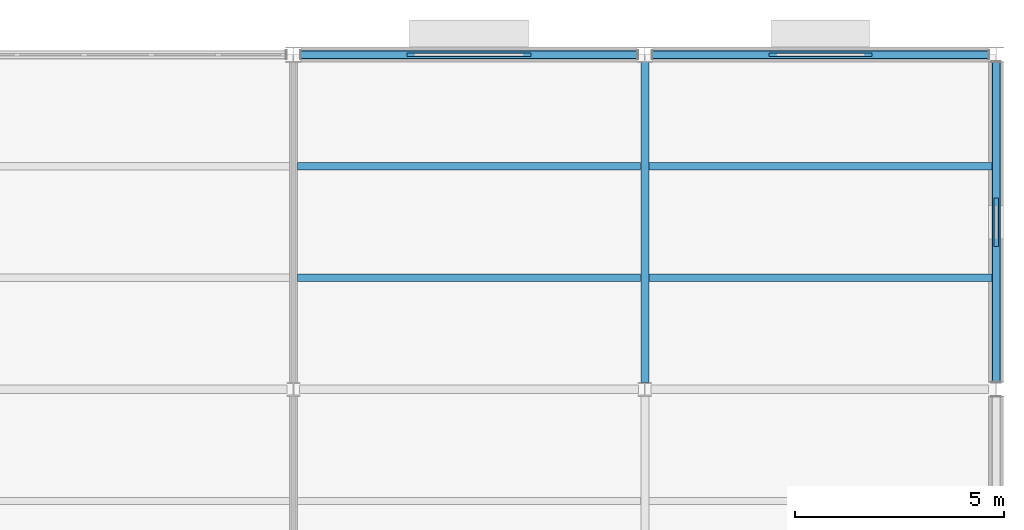
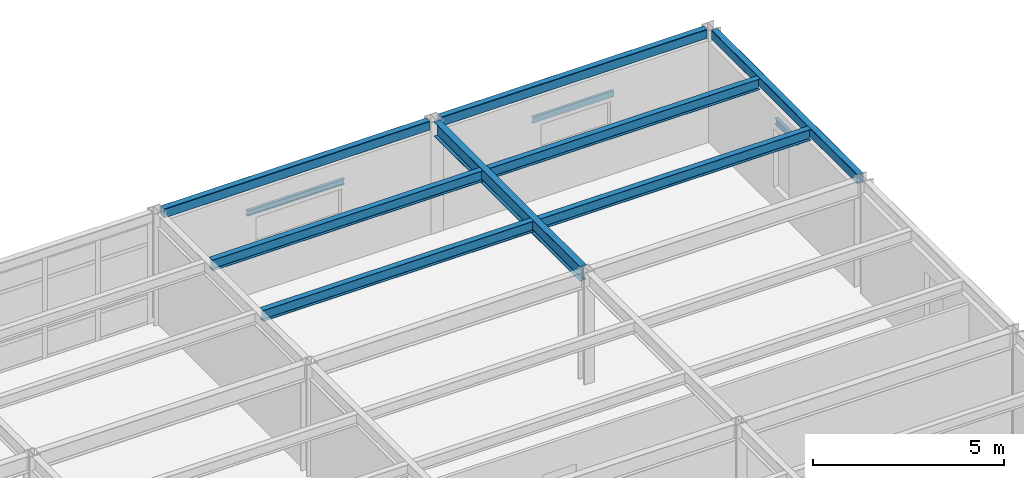
# One storey, part 35 of 96: 11 beams.
"""IFC4 building model written with IfcOpenShell, lengths in metres."""

from ifc_helpers import new_model, si_unit, direction, frame, origin, origin_2d, place, context, subcontext, project, spatial, hollow_rectangle, i_section, u_section, extrude, material, material_profile, profile_set, type_object, element, save


model = new_model("IFC4")

# Units and contexts
model_context = context("Model", 3, precision=1e-05, world=origin(), true_north=direction((0.0, 1.0)))
body_context = subcontext(model_context, "Body", "Model", "MODEL_VIEW")
ifc_project = project(units=[si_unit("LENGTHUNIT", "METRE"), si_unit("AREAUNIT", "SQUARE_METRE"), si_unit("VOLUMEUNIT", "CUBIC_METRE"), si_unit("PLANEANGLEUNIT", "RADIAN"), si_unit("MASSUNIT", "GRAM", prefix="KILO")], contexts=[model_context])

# Site, building, storey
site_placement = place(None, origin())
site = spatial("IfcSite", under=ifc_project, at=site_placement, CompositionType="ELEMENT")
building_placement = place(site_placement, origin())
building = spatial("IfcBuilding", under=site, at=building_placement, Name="Kranzveld Transit Interchange", CompositionType="ELEMENT")
storey_placement = place(building_placement, frame((0.0, 0.0, 9.52001953125)))
storey = spatial("IfcBuildingStorey", under=building, at=storey_placement, Name="L02", CompositionType="ELEMENT", Elevation=9.52001953125)

# Beams
ifc_material_1 = material(Name="Steel S355JR", Category="steel")
ifc_material_profile_1 = material_profile(ifc_material_1, i_section(OverallWidth=0.19189453125, OverallDepth=0.46337890625, WebThickness=0.010498046875, FlangeThickness=0.017578125, FilletRadius=0.01025390625, at=origin_2d()), Name="UB 457x191x89")
ifc_profile_set_1 = profile_set([ifc_material_profile_1], Name="Steel S355JR")
beam_type_1 = type_object("IfcBeamType", Name="Beam Steel UB 457x191x89 S355JR", PredefinedType="BEAM", material=ifc_profile_set_1)
beam_1_placement = place(storey_placement, frame((159.60009765625, 104.159912109375, 3.33837890625), z_axis=(0.0, 1.0, 0.0), x_axis=(-1.0, 0.0, 0.0)))
element("IfcBeam", 1, at=beam_1_placement, inside=storey, type_object=beam_type_1, Name="L02 Girder 20/P-Q", PredefinedType="BEAM", context=body_context, shape_type="SweptSolid", body=[
    extrude(i_section(OverallWidth=0.19189453125, OverallDepth=0.46337890625, WebThickness=0.010498046875, FlangeThickness=0.017578125, FilletRadius=0.01025390625, at=origin_2d()), origin(), (0.0, 0.0, 1.0), 7.662841796875),
])
ifc_material_2 = material(Name="Steel S355JR", Category="steel")
ifc_material_profile_2 = material_profile(ifc_material_2, hollow_rectangle(XDim=0.199951171875, YDim=0.300048828125, WallThickness=0.010009765625, InnerFilletRadius=0.014892578125, OuterFilletRadius=0.02490234375, at=origin_2d()), Name="RHS 300x200x10")
ifc_profile_set_2 = profile_set([ifc_material_profile_2], Name="Steel S355JR")
beam_type_2 = type_object("IfcBeamType", Name="Edge Spandrel RHS 300x200x10 S355JR", PredefinedType="SPANDREL", material=ifc_profile_set_2)
for number, where, z_axis, x_axis, name in (
    (2, (151.377197265625, 112.0, 3.419921875), (1.0, 0.0, 0.0), (0.0, 1.0, 0.0), "L02 Girder 19-20/Q"),
    (3, (159.77734375, 112.0, 3.419921875), (1.0, 0.0, 0.0), (0.0, 1.0, 0.0), "L02 Girder 20-21/Q"),
):
    element("IfcBeam", number, at=place(storey_placement, frame(where, z_axis=z_axis, x_axis=x_axis)), inside=storey, type_object=beam_type_2, Name=name, PredefinedType="SPANDREL", context=body_context, shape_type="SweptSolid", body=[
        extrude(hollow_rectangle(XDim=0.199951171875, YDim=0.300048828125, WallThickness=0.010009765625, InnerFilletRadius=0.014892578125, OuterFilletRadius=0.02490234375, at=origin_2d()), origin(), (0.0, 0.0, 1.0), 8.04541015625),
    ])
beam_2_placement = place(storey_placement, frame((168.0, 104.17724609375, 3.419921875), z_axis=(0.0, 1.0, 0.0), x_axis=(-1.0, 0.0, 0.0)))
element("IfcBeam", 4, at=beam_2_placement, inside=storey, type_object=beam_type_2, Name="L02 Girder 21/P-Q", PredefinedType="SPANDREL", context=body_context, shape_type="SweptSolid", body=[
    extrude(hollow_rectangle(XDim=0.199951171875, YDim=0.300048828125, WallThickness=0.010009765625, InnerFilletRadius=0.014892578125, OuterFilletRadius=0.02490234375, at=origin_2d()), origin(), (0.0, 0.0, 1.0), 7.6455078125),
])
ifc_material_3 = material(Name="Steel S355JR", Category="steel")
ifc_material_profile_3 = material_profile(ifc_material_3, i_section(OverallWidth=0.171142578125, OverallDepth=0.351318359375, WebThickness=0.007080078125, FlangeThickness=0.009765625, FilletRadius=0.01025390625, at=origin_2d()), Name="UB 356x171x45")
ifc_profile_set_3 = profile_set([ifc_material_profile_3], Name="Steel S355JR")
beam_type_3 = type_object("IfcBeamType", Name="Floor Joist UB 356x171x45 S355JR", PredefinedType="JOIST", material=ifc_profile_set_3)
for number, where, z_axis, x_axis, name in (
    (5, (151.2978515625, 106.666748046875, 3.394287109375), (1.0, 0.0, 0.0), (0.0, 1.0, 0.0), "L02 Secondary Joist 19-20/P.1"),
    (6, (151.2978515625, 109.333251953125, 3.394287109375), (1.0, 0.0, 0.0), (0.0, 1.0, 0.0), "L02 Secondary Joist 19-20/P.2"),
):
    element("IfcBeam", number, at=place(storey_placement, frame(where, z_axis=z_axis, x_axis=x_axis)), inside=storey, type_object=beam_type_3, Name=name, PredefinedType="JOIST", context=body_context, shape_type="SweptSolid", body=[
        extrude(i_section(OverallWidth=0.171142578125, OverallDepth=0.351318359375, WebThickness=0.007080078125, FlangeThickness=0.009765625, FilletRadius=0.01025390625, at=origin_2d()), origin(), (0.0, 0.0, 1.0), 8.2041015625),
    ])
for number, where, z_axis, x_axis, name in (
    (7, (159.697998046875, 106.666748046875, 3.394287109375), (1.0, 0.0, 0.0), (0.0, 1.0, 0.0), "L02 Secondary Joist 20-21/P.1"),
    (8, (159.697998046875, 109.333251953125, 3.394287109375), (1.0, 0.0, 0.0), (0.0, 1.0, 0.0), "L02 Secondary Joist 20-21/P.2"),
):
    element("IfcBeam", number, at=place(storey_placement, frame(where, z_axis=z_axis, x_axis=x_axis)), inside=storey, type_object=beam_type_3, Name=name, PredefinedType="JOIST", context=body_context, shape_type="SweptSolid", body=[
        extrude(i_section(OverallWidth=0.171142578125, OverallDepth=0.351318359375, WebThickness=0.007080078125, FlangeThickness=0.009765625, FilletRadius=0.01025390625, at=origin_2d()), origin(), (0.0, 0.0, 1.0), 8.199951171875),
    ])
ifc_material_4 = material(Name="Steel S355JR", Category="steel")
ifc_material_profile_4 = material_profile(ifc_material_4, u_section(Depth=0.199951171875, FlangeWidth=0.074951171875, WebThickness=0.006103515625, FlangeThickness=0.012451171875, FilletRadius=0.011962890625, at=origin_2d()), Name="PFC 200x75x23")
ifc_profile_set_4 = profile_set([ifc_material_profile_4], Name="Steel S355JR")
beam_type_4 = type_object("IfcBeamType", Name="Masonry Lintel PFC 200x75x23 S355JR", PredefinedType="LINTEL", material=ifc_profile_set_4)
beam_3_placement = place(storey_placement, frame((162.570068359375, 112.0, 2.455078125), z_axis=(1.0, 0.0, 0.0), x_axis=(0.0, 1.0, 0.0)))
element("IfcBeam", 9, at=beam_3_placement, inside=storey, type_object=beam_type_4, Name="L02 Window Lintel 136", PredefinedType="LINTEL", context=body_context, shape_type="SweptSolid", body=[
    extrude(u_section(Depth=0.199951171875, FlangeWidth=0.074951171875, WebThickness=0.006103515625, FlangeThickness=0.012451171875, FilletRadius=0.011962890625, at=origin_2d()), origin(), (0.0, 0.0, 1.0), 2.4599609375),
])
ifc_material_5 = material(Name="Steel S355JR", Category="steel")
ifc_material_profile_5 = material_profile(ifc_material_5, i_section(OverallWidth=0.091064453125, OverallDepth=0.179931640625, WebThickness=0.00537109375, FlangeThickness=0.008056640625, FilletRadius=0.009033203125, at=origin_2d()), Name="IPE 180")
ifc_profile_set_5 = profile_set([ifc_material_profile_5], Name="Steel S355JR")
beam_type_5 = type_object("IfcBeamType", Name="Opening Lintel IPE 180 S355JR", PredefinedType="LINTEL", material=ifc_profile_set_5)
beam_4_placement = place(storey_placement, frame((153.919921875, 112.0, 2.494873046875), z_axis=(1.0, 0.0, 0.0), x_axis=(0.0, 1.0, 0.0)))
element("IfcBeam", 10, at=beam_4_placement, inside=storey, type_object=beam_type_5, Name="L02 Window Lintel 135", PredefinedType="LINTEL", context=body_context, shape_type="SweptSolid", body=[
    extrude(i_section(OverallWidth=0.091064453125, OverallDepth=0.179931640625, WebThickness=0.00537109375, FlangeThickness=0.008056640625, FilletRadius=0.009033203125, at=origin_2d()), origin(), (0.0, 0.0, 1.0), 2.9599609375),
])
ifc_material_6 = material(Name="Steel S355JR", Category="steel")
ifc_material_profile_6 = material_profile(ifc_material_6, i_section(OverallWidth=0.10009765625, OverallDepth=0.199951171875, WebThickness=0.005615234375, FlangeThickness=0.008544921875, FilletRadius=0.011962890625, at=origin_2d()), Name="IPE 200")
ifc_profile_set_6 = profile_set([ifc_material_profile_6], Name="Steel S355JR")
beam_type_6 = type_object("IfcBeamType", Name="Opening Lintel IPE 200 S355JR", PredefinedType="LINTEL", material=ifc_profile_set_6)
beam_5_placement = place(storey_placement, frame((168.0, 107.419921875, 2.60498046875), z_axis=(0.0, 1.0, 0.0), x_axis=(-1.0, 0.0, 0.0)))
element("IfcBeam", 11, at=beam_5_placement, inside=storey, type_object=beam_type_6, Name="L02 Window Lintel 138", PredefinedType="LINTEL", context=body_context, shape_type="SweptSolid", body=[
    extrude(i_section(OverallWidth=0.10009765625, OverallDepth=0.199951171875, WebThickness=0.005615234375, FlangeThickness=0.008544921875, FilletRadius=0.011962890625, at=origin_2d()), origin(), (0.0, 0.0, 1.0), 1.16015625),
])

save(model, "model.ifc")
